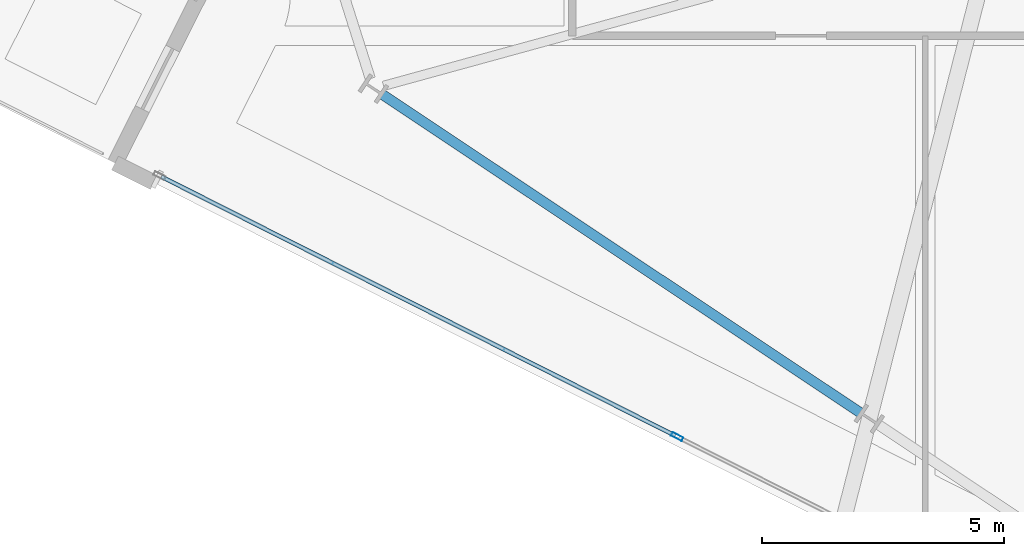
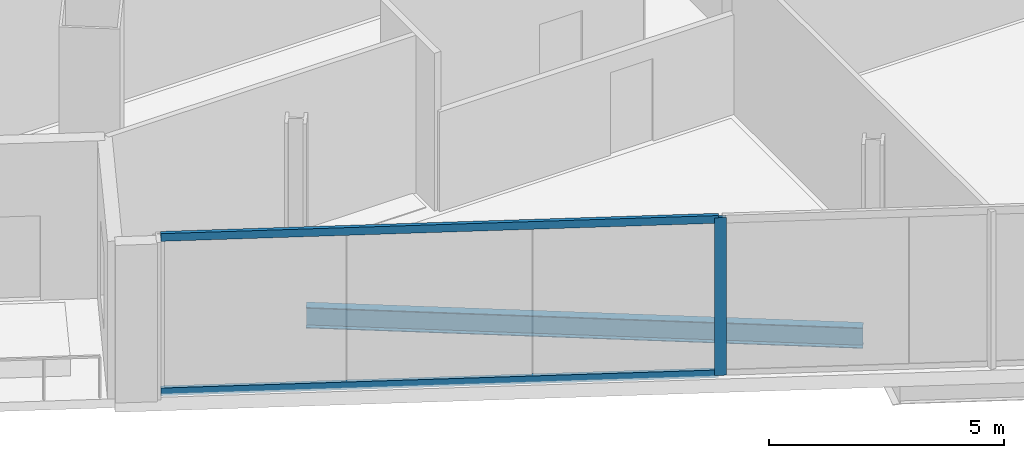
# One storey, part 2 of 27: 3 members, 1 beam, 1 element without a shape of its own.
"""IFC4 building model written with IfcOpenShell, lengths in metres."""

from ifc_helpers import new_model, si_unit, direction, frame, origin, origin_2d, place, context, subcontext, project, spatial, hollow_rectangle, i_section, extrude, material, material_profile, profile_set, type_object, element, aggregate, save


model = new_model("IFC4")

# Units and contexts
model_context = context("Model", 3, precision=1e-05, world=origin(), true_north=direction((0.0, 1.0)))
body_context = subcontext(model_context, "Body", "Model", "MODEL_VIEW")
ifc_project = project(units=[si_unit("LENGTHUNIT", "METRE"), si_unit("AREAUNIT", "SQUARE_METRE"), si_unit("VOLUMEUNIT", "CUBIC_METRE"), si_unit("PLANEANGLEUNIT", "RADIAN"), si_unit("MASSUNIT", "GRAM", prefix="KILO")], contexts=[model_context])

# Site, building, storey
site_placement = place(None, origin())
site = spatial("IfcSite", under=ifc_project, at=site_placement, CompositionType="ELEMENT")
building_placement = place(site_placement, origin())
building = spatial("IfcBuilding", under=site, at=building_placement, Name="Haldenkirk Collegiate Tower", CompositionType="ELEMENT")
storey_placement = place(building_placement, frame((0.0, 0.0, 239.699951171875)))
storey = spatial("IfcBuildingStorey", under=building, at=storey_placement, Name="L60", CompositionType="ELEMENT", Elevation=239.699951171875)

# Beam
ifc_material_1 = material(Name="Steel ASTM A992 Grade 50", Category="steel")
ifc_material_profile_1 = material_profile(ifc_material_1, i_section(OverallWidth=0.2099609375, OverallDepth=0.537109375, WebThickness=0.010986328125, FlangeThickness=0.017333984375, at=origin_2d()), Name="W21X68")
ifc_profile_set_1 = profile_set([ifc_material_profile_1], Name="Steel ASTM A992 Grade 50")
beam_type = type_object("IfcBeamType", Name="BM-SPANDREL-W21X68", PredefinedType="SPANDREL", material=ifc_profile_set_1)
beam_placement = place(storey_placement, frame((14.26904296875, 14.337158203125, -0.618408203125), z_axis=(0.832438805455, -0.554116986901, 0.0), x_axis=(0.554116986901, 0.832438805455, 0.0)))
element("IfcBeam", 1, at=beam_placement, inside=storey, type_object=beam_type, Name="L60 perimeter spandrel beam 14", PredefinedType="SPANDREL", context=body_context, shape_type="SweptSolid", body=[
    extrude(i_section(OverallWidth=0.2099609375, OverallDepth=0.537109375, WebThickness=0.010986328125, FlangeThickness=0.017333984375, at=origin_2d()), origin(), (0.0, 0.0, 1.0), 11.885009765625),
])

# Curtain wall, members
ifc_material_2 = material(Name="Anodised architectural bronze aluminium", Category="aluminium")
curtain_wall_type = type_object("IfcCurtainWallType", Name="CW-SYS1B-CONVEX-HI", PredefinedType="USERDEFINED", material=ifc_material_2)
curtain_wall_placement = place(storey_placement, origin())
curtain_wall = element("IfcCurtainWall", 2, at=curtain_wall_placement, inside=storey, type_object=curtain_wall_type, Name="L60 Upper tower high-wind convex bronze unitised curtain wall", ObjectType="UNITISED CURTAIN WALL", PredefinedType="USERDEFINED")
ifc_material_profile_2 = material_profile(ifc_material_2, hollow_rectangle(XDim=0.0849609375, YDim=0.25, WallThickness=0.0048828125, at=origin_2d()), Name="CW-MUL-1B")
ifc_profile_set_2 = profile_set([ifc_material_profile_2], Name="Anodised architectural bronze aluminium")
member_type_1 = type_object("IfcMemberType", Name="CW-MUL-1B", PredefinedType="MULLION", material=ifc_profile_set_2)
member_1_placement = place(storey_placement, frame((20.367431640625, 7.2607421875, 0.0), z_axis=(0.0, 0.0, 1.0), x_axis=(-0.450098584579, -0.89297887106, 0.0)))
member_1 = element("IfcMember", 3, at=member_1_placement, type_object=member_type_1, Name="CW-1B mullion 3", PredefinedType="MULLION", context=body_context, shape_type="SweptSolid", body=[
    extrude(hollow_rectangle(XDim=0.0849609375, YDim=0.25, WallThickness=0.0048828125, at=origin_2d()), origin(), (0.0, 0.0, 1.0), 4.10009765625),
])
ifc_material_profile_3 = material_profile(ifc_material_2, hollow_rectangle(XDim=0.0849609375, YDim=0.199951171875, WallThickness=0.0048828125, at=origin_2d()), Name="CW-TRN-1B")
ifc_profile_set_3 = profile_set([ifc_material_profile_3], Name="Anodised architectural bronze aluminium")
member_type_2 = type_object("IfcMemberType", Name="CW-TRN-1B", PredefinedType="USERDEFINED", material=ifc_profile_set_3)
member_2_placement = place(storey_placement, frame((20.32958984375, 7.27978515625, 0.04248046875), z_axis=(-0.892982025623, 0.450092325988, 0.0), x_axis=(-0.450092325988, -0.892982025623, 0.0)))
member_2 = element("IfcMember", 4, at=member_2_placement, type_object=member_type_2, Name="CW-1B transom 3.1", ObjectType="TRANSOM", PredefinedType="USERDEFINED", context=body_context, shape_type="SweptSolid", body=[
    extrude(hollow_rectangle(XDim=0.0849609375, YDim=0.199951171875, WallThickness=0.0048828125, at=origin_2d()), origin(), (0.0, 0.0, 1.0), 11.8974609375),
])
member_3_placement = place(storey_placement, frame((20.32958984375, 7.27978515625, 4.0576171875), z_axis=(-0.892982025623, 0.450092325988, 0.0), x_axis=(-0.450092325988, -0.892982025623, 0.0)))
member_3 = element("IfcMember", 5, at=member_3_placement, type_object=member_type_2, Name="CW-1B transom 3.2", ObjectType="TRANSOM", PredefinedType="USERDEFINED", context=body_context, shape_type="SweptSolid", body=[
    extrude(hollow_rectangle(XDim=0.0849609375, YDim=0.199951171875, WallThickness=0.0048828125, at=origin_2d()), origin(), (0.0, 0.0, 1.0), 11.8974609375),
])
aggregate(curtain_wall, [member_1, member_2, member_3])

save(model, "model.ifc")
